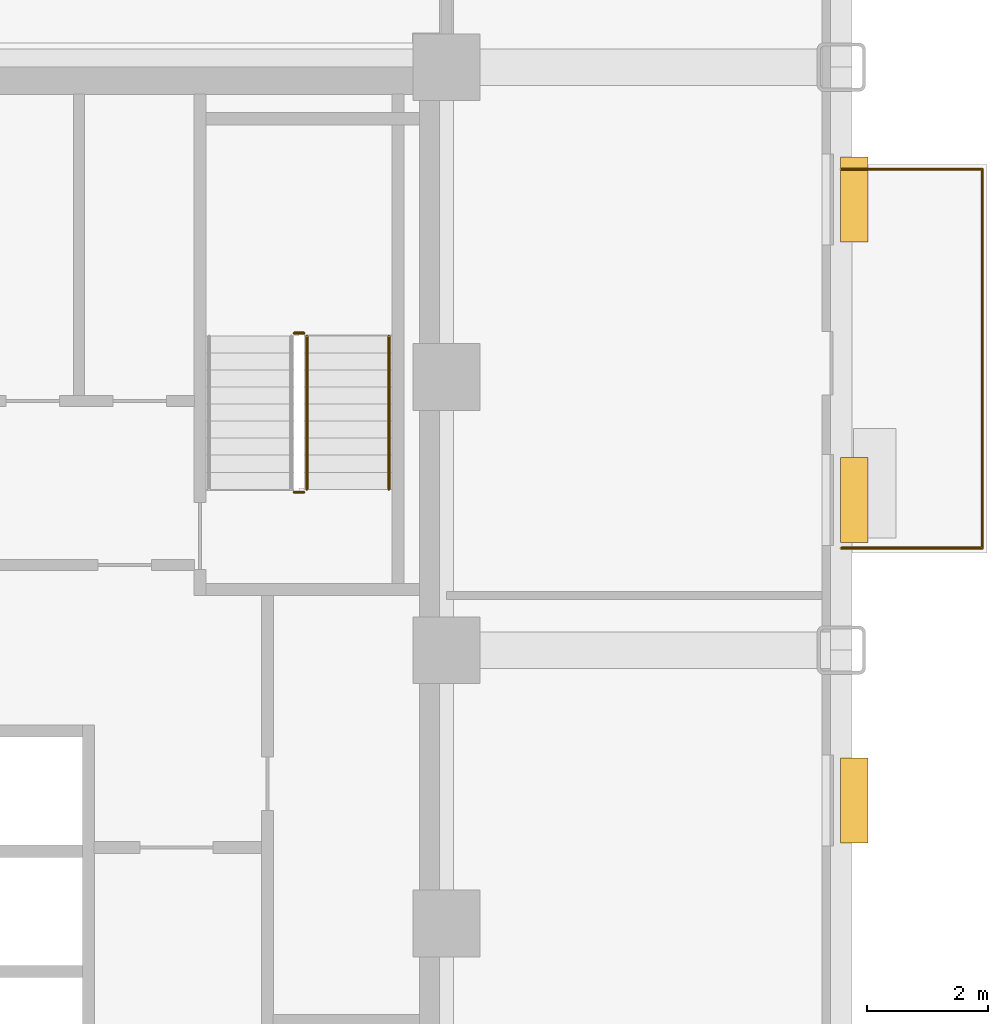
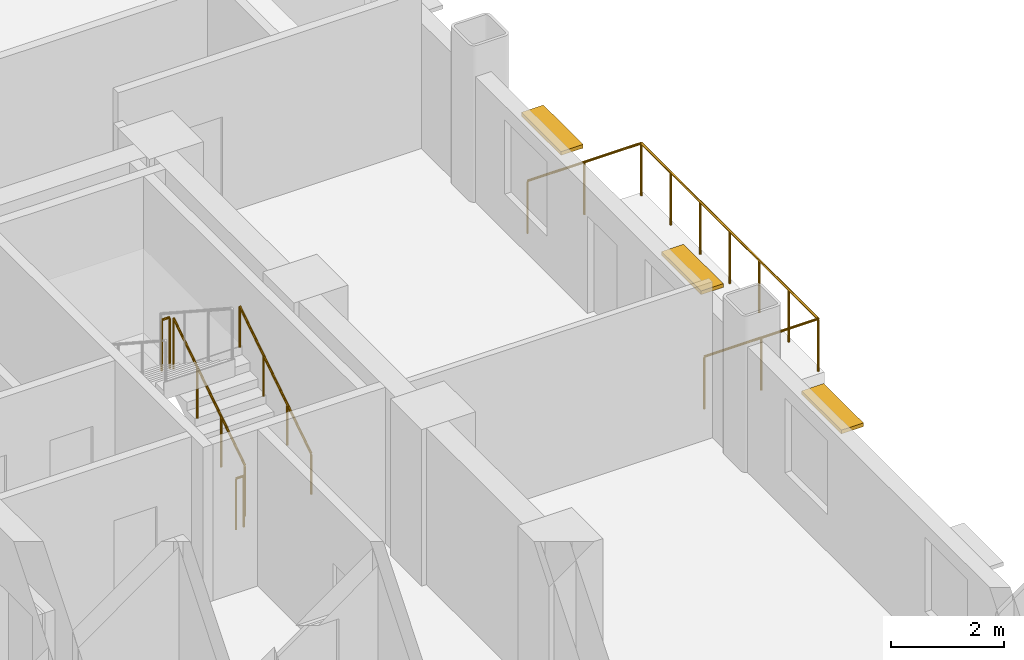
# One storey, part 14 of 15: 5 railings, 3 shading devices.
"""IFC4 building model written with IfcOpenShell, lengths in metres."""

from ifc_helpers import new_model, si_unit, direction, frame, origin, origin_2d, place, context, subcontext, project, spatial, rectangle, circle, extrude, source, transform, mapped, material, type_object, type_shapes, element, save


model = new_model("IFC4")

# Units and contexts
model_context = context("Model", 3, precision=1e-05, world=origin(), true_north=direction((0.0, 1.0)))
body_context = subcontext(model_context, "Body", "Model", "MODEL_VIEW")
ifc_project = project(units=[si_unit("LENGTHUNIT", "METRE"), si_unit("AREAUNIT", "SQUARE_METRE"), si_unit("VOLUMEUNIT", "CUBIC_METRE"), si_unit("PLANEANGLEUNIT", "RADIAN"), si_unit("MASSUNIT", "GRAM", prefix="KILO")], contexts=[model_context])

# Site, building, storey
site_placement = place(None, origin())
site = spatial("IfcSite", under=ifc_project, at=site_placement, CompositionType="ELEMENT")
building_placement = place(site_placement, origin())
building = spatial("IfcBuilding", under=site, at=building_placement, Name="Nuvemarco Arch Tower", CompositionType="ELEMENT")
storey_placement = place(building_placement, frame((0.0, 0.0, 86.0)))
storey = spatial("IfcBuildingStorey", under=building, at=storey_placement, Name="L22", CompositionType="ELEMENT", Elevation=86.0)

# Railings
ifc_material_1 = material(Name="Brushed stainless steel handrail", Category="steel")
railing_type_1 = type_object("IfcRailingType", Name="RL-HANDRAIL-900", PredefinedType="HANDRAIL", material=ifc_material_1)
railing_1_placement = place(storey_placement, frame((16.550048828125, 2.64990234375, 0.1826171875)))
element("IfcRailing", 1, at=railing_1_placement, inside=storey, type_object=railing_type_1, Name="L22 ST-2 stair handrail 1", PredefinedType="HANDRAIL", context=body_context, shape_type="SweptSolid", body=[
    extrude(circle(Radius=0.02392578125, at=origin_2d()), frame((0.0, 0.0, 0.8759765625), z_axis=(0.0, 0.837786554691, 0.545997883492), x_axis=(-1.0, 0.0, 0.0)), (0.0, 0.0, 1.0), 3.008056640625),
    extrude(circle(Radius=0.02099609375, at=origin_2d()), origin(), (0.0, 0.0, 1.0), 0.851806640625),
    extrude(circle(Radius=0.02099609375, at=origin_2d()), frame((0.0, 0.840087890625, 0.54736328125)), (0.0, 0.0, 1.0), 0.851806640625),
    extrude(circle(Radius=0.02099609375, at=origin_2d()), frame((0.0, 1.679931640625, 1.094970703125)), (0.0, 0.0, 1.0), 0.851806640625),
    extrude(circle(Radius=0.02099609375, at=origin_2d()), frame((0.0, 2.52001953125, 1.642333984375)), (0.0, 0.0, 1.0), 0.851806640625),
])
ifc_material_2 = material(Name="Painted balustrade steel S355", Category="steel")
railing_type_2 = type_object("IfcRailingType", Name="RL-STAIR-GUARD", PredefinedType="GUARDRAIL", material=ifc_material_2)
railing_2_placement = place(storey_placement, frame((15.199951171875, 2.64990234375, 0.1826171875)))
element("IfcRailing", 2, at=railing_2_placement, inside=storey, type_object=railing_type_2, Name="L22 ST-2 stair guard 1", PredefinedType="GUARDRAIL", context=body_context, shape_type="SweptSolid", body=[
    extrude(circle(Radius=0.02392578125, at=origin_2d()), frame((0.0, 0.0, 1.09619140625), z_axis=(0.0, 0.837786554691, 0.545997883492), x_axis=(-1.0, 0.0, 0.0)), (0.0, 0.0, 1.0), 3.008056640625),
    extrude(circle(Radius=0.02099609375, at=origin_2d()), origin(), (0.0, 0.0, 1.0), 1.072021484375),
    extrude(circle(Radius=0.02099609375, at=origin_2d()), frame((0.0, 0.840087890625, 0.54736328125)), (0.0, 0.0, 1.0), 1.072021484375),
    extrude(circle(Radius=0.02099609375, at=origin_2d()), frame((0.0, 1.679931640625, 1.094970703125)), (0.0, 0.0, 1.0), 1.072021484375),
    extrude(circle(Radius=0.02099609375, at=origin_2d()), frame((0.0, 2.52001953125, 1.642333984375)), (0.0, 0.0, 1.0), 1.072021484375),
])
for number, where, name in (
    (3, (15.14990234375, 5.219970703125, 1.824951171875), "L22 ST-2 stair guard 2"),
    (4, (15.14990234375, 2.60009765625, 0.0), "L22 ST-2 stair guard 4"),
):
    element("IfcRailing", number, at=place(storey_placement, frame(where)), inside=storey, type_object=railing_type_2, Name=name, PredefinedType="GUARDRAIL", context=body_context, shape_type="SweptSolid", body=[
        extrude(circle(Radius=0.02392578125, at=origin_2d()), frame((0.0, 0.0, 1.09619140625), z_axis=(-1.0, 0.0, 0.0), x_axis=(0.0, -1.0, 0.0)), (0.0, 0.0, 1.0), 0.159912109375),
        extrude(circle(Radius=0.02099609375, at=origin_2d()), origin(), (0.0, 0.0, 1.0), 1.072021484375),
        extrude(circle(Radius=0.02099609375, at=origin_2d()), frame((-0.159912109375, 0.0, 0.0)), (0.0, 0.0, 1.0), 1.072021484375),
    ])
ifc_material_3 = material(Name="Dark anodised balustrade steel S355", Category="steel")
railing_type_3 = type_object("IfcRailingType", Name="RL-TERR-GUARD", PredefinedType="BALUSTRADE", material=ifc_material_3)
railing_3_placement = place(storey_placement, frame((24.0, 1.679931640625, 0.0)))
element("IfcRailing", 5, at=railing_3_placement, inside=storey, type_object=railing_type_3, Name="L22 spiral terrace perimeter balustrade guard", PredefinedType="BALUSTRADE", context=body_context, shape_type="SweptSolid", body=[
    extrude(circle(Radius=0.02392578125, at=origin_2d()), frame((0.0, 0.0, 1.1259765625), z_axis=(1.0, 0.0, 0.0), x_axis=(0.0, 1.0, 0.0)), (0.0, 0.0, 1.0), 2.320068359375),
    extrude(circle(Radius=0.02392578125, at=origin_2d()), frame((2.320068359375, 0.0, 1.1259765625), z_axis=(0.0, 1.0, 0.0), x_axis=(-1.0, 0.0, 0.0)), (0.0, 0.0, 1.0), 6.239990234375),
    extrude(circle(Radius=0.02392578125, at=origin_2d()), frame((2.320068359375, 6.239990234375, 1.1259765625), z_axis=(-1.0, 0.0, 0.0), x_axis=(0.0, -1.0, 0.0)), (0.0, 0.0, 1.0), 2.320068359375),
    extrude(circle(Radius=0.02099609375, at=origin_2d()), origin(), (0.0, 0.0, 1.0), 1.101806640625),
    extrude(circle(Radius=0.02099609375, at=origin_2d()), frame((1.16015625, 0.0, 0.0)), (0.0, 0.0, 1.0), 1.101806640625),
    extrude(circle(Radius=0.02099609375, at=origin_2d()), frame((2.320068359375, 0.0, 0.0)), (0.0, 0.0, 1.0), 1.101806640625),
    extrude(circle(Radius=0.02099609375, at=origin_2d()), frame((2.320068359375, 1.0400390625, 0.0)), (0.0, 0.0, 1.0), 1.101806640625),
    extrude(circle(Radius=0.02099609375, at=origin_2d()), frame((2.320068359375, 2.080078125, 0.0)), (0.0, 0.0, 1.0), 1.101806640625),
    extrude(circle(Radius=0.02099609375, at=origin_2d()), frame((2.320068359375, 3.1201171875, 0.0)), (0.0, 0.0, 1.0), 1.101806640625),
    extrude(circle(Radius=0.02099609375, at=origin_2d()), frame((2.320068359375, 4.159912109375, 0.0)), (0.0, 0.0, 1.0), 1.101806640625),
    extrude(circle(Radius=0.02099609375, at=origin_2d()), frame((2.320068359375, 5.199951171875, 0.0)), (0.0, 0.0, 1.0), 1.101806640625),
    extrude(circle(Radius=0.02099609375, at=origin_2d()), frame((2.320068359375, 6.239990234375, 0.0)), (0.0, 0.0, 1.0), 1.101806640625),
    extrude(circle(Radius=0.02099609375, at=origin_2d()), frame((1.16015625, 6.239990234375, 0.0)), (0.0, 0.0, 1.0), 1.101806640625),
    extrude(circle(Radius=0.02099609375, at=origin_2d()), frame((0.0, 6.239990234375, 0.0)), (0.0, 0.0, 1.0), 1.101806640625),
])

# Shading devices
ifc_material_4 = material(Name="Anodised aluminium 6063-T6", Category="aluminium")
shading_device_type = type_object("IfcShadingDeviceType", Name="SHD-BRISE-NARROW", PredefinedType="USERDEFINED", material=ifc_material_4)
shared_shape = source(origin(), body_context, "Body", "SweptSolid", [
    extrude(rectangle(XDim=1.39990234375, YDim=0.449951171875, at=origin_2d()), origin(), (0.0, 0.0, 1.0), 0.080078125),
])
type_shapes(shading_device_type, [shared_shape])
for number, where, z_axis, x_axis, name in (
    (6, (24.215087890625, -2.472900390625, 2.405029296875), (0.0, 0.0, 1.0), (0.0, 1.0, 0.0), "L22 horizontal brise-soleil sunshade"),
    (7, (24.215087890625, 2.472900390625, 2.405029296875), (0.0, 0.0, 1.0), (0.0, 1.0, 0.0), "L22 horizontal brise-soleil sunshade"),
    (8, (24.215087890625, 7.4189453125, 2.405029296875), (0.0, 0.0, 1.0), (0.0, 1.0, 0.0), "L22 horizontal brise-soleil sunshade"),
):
    element("IfcShadingDevice", number, at=place(storey_placement, frame(where, z_axis=z_axis, x_axis=x_axis)), inside=storey, type_object=shading_device_type, Name=name, ObjectType="SUNSHADE", PredefinedType="USERDEFINED", context=body_context, shape_type="MappedRepresentation", body=[
        mapped(shared_shape, transform((0.0, 0.0, 0.0), scale=1.0)),
    ])

save(model, "model.ifc")
